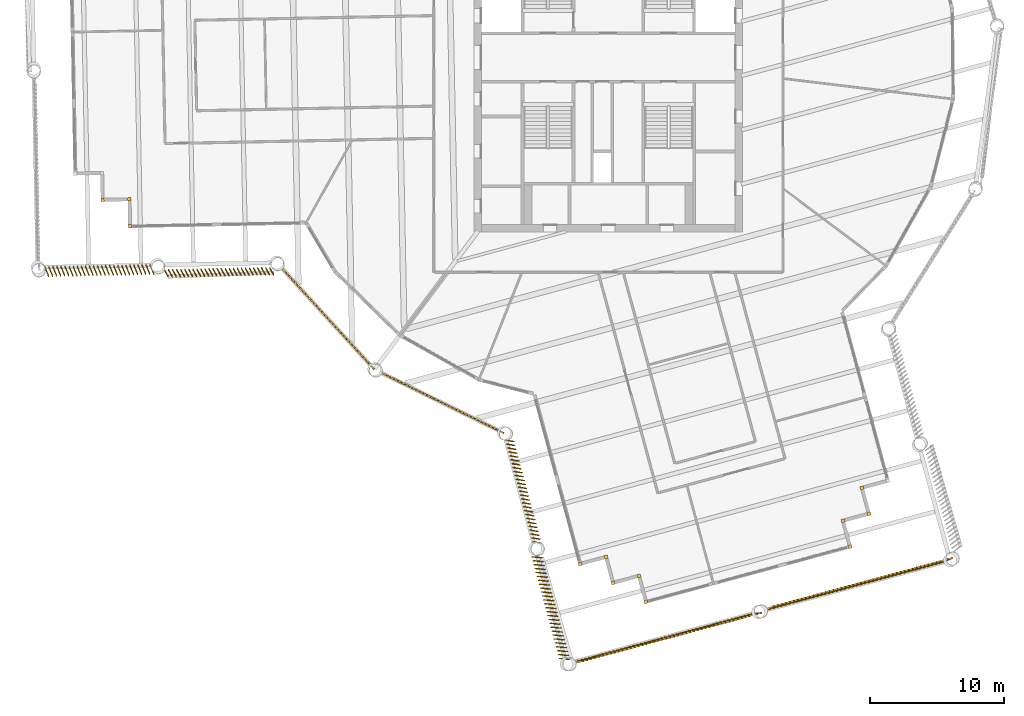
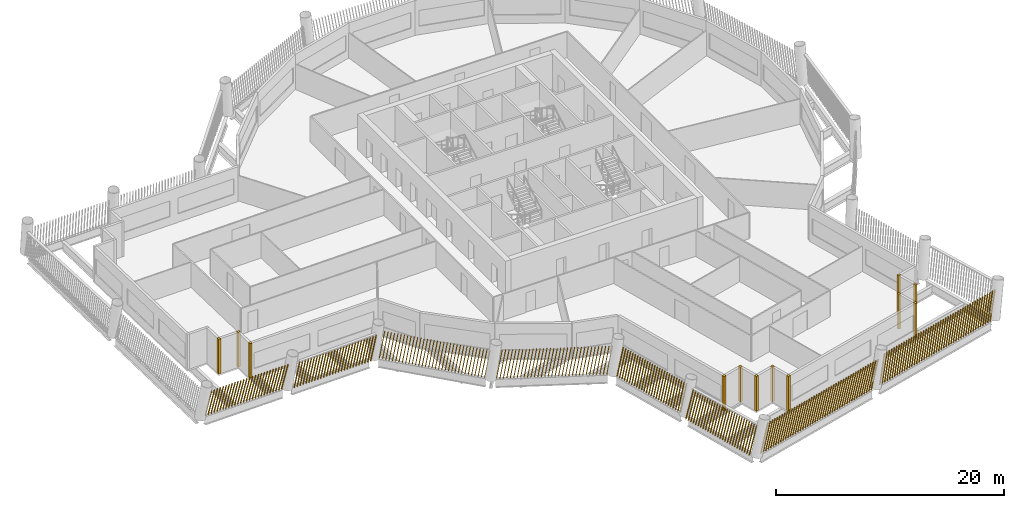
# One storey, part 11 of 15: 20 shading devices.
"""IFC4 building model written with IfcOpenShell, lengths in metres."""

from ifc_helpers import new_model, si_unit, direction, frame, frame_2d, origin, origin_2d, place, context, subcontext, project, spatial, rectangle, composite_profile, extrude, material, type_object, element, save


model = new_model("IFC4")

# Units and contexts
model_context = context("Model", 3, precision=1e-05, world=origin(), true_north=direction((0.0, 1.0)))
body_context = subcontext(model_context, "Body", "Model", "MODEL_VIEW")
ifc_project = project(units=[si_unit("LENGTHUNIT", "METRE"), si_unit("AREAUNIT", "SQUARE_METRE"), si_unit("VOLUMEUNIT", "CUBIC_METRE"), si_unit("PLANEANGLEUNIT", "RADIAN"), si_unit("MASSUNIT", "GRAM", prefix="KILO")], contexts=[model_context])

# Site, building, storey
site_placement = place(None, origin())
site = spatial("IfcSite", under=ifc_project, at=site_placement, CompositionType="ELEMENT")
building_placement = place(site_placement, origin())
building = spatial("IfcBuilding", under=site, at=building_placement, Name="Tarsis Ring Headquarters", CompositionType="ELEMENT")
storey_placement = place(building_placement, frame((0.0, 0.0, 290.300048828125)))
storey = spatial("IfcBuildingStorey", under=building, at=storey_placement, Name="L68", CompositionType="ELEMENT", Elevation=290.300048828125)

# Shading devices
ifc_material = material(Name="Terracotta baguette", Category="masonry")
shading_device_type_1 = type_object("IfcShadingDeviceType", Name="Terracotta baguette screen", PredefinedType="USERDEFINED", material=ifc_material)
shading_device_1_placement = place(storey_placement, frame((-16.984619140625, -23.45654296875, 0.0), z_axis=(0.0, 0.0, 1.0), x_axis=(0.897291760356, -0.441413081497, 0.0)))
element("IfcShadingDevice", 1, at=shading_device_1_placement, inside=storey, type_object=shading_device_type_1, Name="Baguette screen L68-00", ObjectType="Terracotta baguette screen", PredefinedType="USERDEFINED", context=body_context, shape_type="SweptSolid", body=[
    extrude(composite_profile([rectangle(XDim=0.06005859375, YDim=0.1201171875, at=frame_2d((0.030029296875, 0.0))), rectangle(XDim=0.06005859375, YDim=0.1201171875, at=frame_2d((0.33349609375, 0.0))), rectangle(XDim=0.06005859375, YDim=0.1201171875, at=frame_2d((0.636962890625, 0.0))), rectangle(XDim=0.06005859375, YDim=0.1201171875, at=frame_2d((0.9404296875, 0.0))), rectangle(XDim=0.06005859375, YDim=0.1201171875, at=frame_2d((1.243896484375, 0.0))), rectangle(XDim=0.06005859375, YDim=0.1201171875, at=frame_2d((1.54736328125, 0.0))), rectangle(XDim=0.06005859375, YDim=0.1201171875, at=frame_2d((1.85107421875, 0.0))), rectangle(XDim=0.06005859375, YDim=0.1201171875, at=frame_2d((2.154541015625, 0.0))), rectangle(XDim=0.06005859375, YDim=0.1201171875, at=frame_2d((2.4580078125, 0.0))), rectangle(XDim=0.06005859375, YDim=0.1201171875, at=frame_2d((2.761474609375, 0.0))), rectangle(XDim=0.06005859375, YDim=0.1201171875, at=frame_2d((3.06494140625, 0.0))), rectangle(XDim=0.06005859375, YDim=0.1201171875, at=frame_2d((3.368408203125, 0.0))), rectangle(XDim=0.06005859375, YDim=0.1201171875, at=frame_2d((3.671875, 0.0))), rectangle(XDim=0.06005859375, YDim=0.1201171875, at=frame_2d((3.975341796875, 0.0))), rectangle(XDim=0.06005859375, YDim=0.1201171875, at=frame_2d((4.27880859375, 0.0))), rectangle(XDim=0.06005859375, YDim=0.1201171875, at=frame_2d((4.582275390625, 0.0))), rectangle(XDim=0.06005859375, YDim=0.1201171875, at=frame_2d((4.8857421875, 0.0))), rectangle(XDim=0.06005859375, YDim=0.1201171875, at=frame_2d((5.189453125, 0.0))), rectangle(XDim=0.06005859375, YDim=0.1201171875, at=frame_2d((5.492919921875, 0.0))), rectangle(XDim=0.06005859375, YDim=0.1201171875, at=frame_2d((5.79638671875, 0.0))), rectangle(XDim=0.06005859375, YDim=0.1201171875, at=frame_2d((6.099853515625, 0.0))), rectangle(XDim=0.06005859375, YDim=0.1201171875, at=frame_2d((6.4033203125, 0.0))), rectangle(XDim=0.06005859375, YDim=0.1201171875, at=frame_2d((6.706787109375, 0.0))), rectangle(XDim=0.06005859375, YDim=0.1201171875, at=frame_2d((7.01025390625, 0.0))), rectangle(XDim=0.06005859375, YDim=0.1201171875, at=frame_2d((7.313720703125, 0.0))), rectangle(XDim=0.06005859375, YDim=0.1201171875, at=frame_2d((7.6171875, 0.0))), rectangle(XDim=0.06005859375, YDim=0.1201171875, at=frame_2d((7.920654296875, 0.0))), rectangle(XDim=0.06005859375, YDim=0.1201171875, at=frame_2d((8.224365234375, 0.0))), rectangle(XDim=0.06005859375, YDim=0.1201171875, at=frame_2d((8.52783203125, 0.0))), rectangle(XDim=0.06005859375, YDim=0.1201171875, at=frame_2d((8.831298828125, 0.0))), rectangle(XDim=0.06005859375, YDim=0.1201171875, at=frame_2d((9.134765625, 0.0))), rectangle(XDim=0.06005859375, YDim=0.1201171875, at=frame_2d((9.438232421875, 0.0))), rectangle(XDim=0.06005859375, YDim=0.1201171875, at=frame_2d((9.74169921875, 0.0)))]), origin(), (0.165544182813, 0.001442947575, 0.98620131892), 3.00927734375),
])
shading_device_2_placement = place(storey_placement, frame((-7.637451171875, -28.473388671875, 0.0), z_axis=(0.0, 0.0, 1.0), x_axis=(0.2608440435, -0.965367029165, 0.0)))
element("IfcShadingDevice", 2, at=shading_device_2_placement, inside=storey, type_object=shading_device_type_1, Name="Baguette screen L68-01", ObjectType="Terracotta baguette screen", PredefinedType="USERDEFINED", context=body_context, shape_type="SweptSolid", body=[
    extrude(composite_profile([rectangle(XDim=0.06005859375, YDim=0.1201171875, at=frame_2d((0.030029296875, 0.0))), rectangle(XDim=0.06005859375, YDim=0.1201171875, at=frame_2d((0.33154296875, 0.0))), rectangle(XDim=0.06005859375, YDim=0.1201171875, at=frame_2d((0.63330078125, 0.0))), rectangle(XDim=0.06005859375, YDim=0.1201171875, at=frame_2d((0.934814453125, 0.0))), rectangle(XDim=0.06005859375, YDim=0.1201171875, at=frame_2d((1.236572265625, 0.0))), rectangle(XDim=0.06005859375, YDim=0.1201171875, at=frame_2d((1.5380859375, 0.0))), rectangle(XDim=0.06005859375, YDim=0.1201171875, at=frame_2d((1.83984375, 0.0))), rectangle(XDim=0.06005859375, YDim=0.1201171875, at=frame_2d((2.141357421875, 0.0))), rectangle(XDim=0.06005859375, YDim=0.1201171875, at=frame_2d((2.443115234375, 0.0))), rectangle(XDim=0.06005859375, YDim=0.1201171875, at=frame_2d((2.74462890625, 0.0))), rectangle(XDim=0.06005859375, YDim=0.1201171875, at=frame_2d((3.04638671875, 0.0))), rectangle(XDim=0.06005859375, YDim=0.1201171875, at=frame_2d((3.347900390625, 0.0))), rectangle(XDim=0.06005859375, YDim=0.1201171875, at=frame_2d((3.649658203125, 0.0))), rectangle(XDim=0.06005859375, YDim=0.1201171875, at=frame_2d((3.951171875, 0.0))), rectangle(XDim=0.06005859375, YDim=0.1201171875, at=frame_2d((4.252685546875, 0.0))), rectangle(XDim=0.06005859375, YDim=0.1201171875, at=frame_2d((4.554443359375, 0.0))), rectangle(XDim=0.06005859375, YDim=0.1201171875, at=frame_2d((4.85595703125, 0.0))), rectangle(XDim=0.06005859375, YDim=0.1201171875, at=frame_2d((5.15771484375, 0.0))), rectangle(XDim=0.06005859375, YDim=0.1201171875, at=frame_2d((5.459228515625, 0.0))), rectangle(XDim=0.06005859375, YDim=0.1201171875, at=frame_2d((5.760986328125, 0.0))), rectangle(XDim=0.06005859375, YDim=0.1201171875, at=frame_2d((6.0625, 0.0))), rectangle(XDim=0.06005859375, YDim=0.1201171875, at=frame_2d((6.3642578125, 0.0))), rectangle(XDim=0.06005859375, YDim=0.1201171875, at=frame_2d((6.665771484375, 0.0))), rectangle(XDim=0.06005859375, YDim=0.1201171875, at=frame_2d((6.967529296875, 0.0))), rectangle(XDim=0.06005859375, YDim=0.1201171875, at=frame_2d((7.26904296875, 0.0))), rectangle(XDim=0.06005859375, YDim=0.1201171875, at=frame_2d((7.57080078125, 0.0))), rectangle(XDim=0.06005859375, YDim=0.1201171875, at=frame_2d((7.872314453125, 0.0)))]), origin(), (0.083960170848, 0.17074429462, 0.981731671877), 3.02294921875),
])
shading_device_3_placement = place(storey_placement, frame((-5.67724609375, -37.165283203125, 0.0), z_axis=(0.0, 0.0, 1.0), x_axis=(0.2608440435, -0.965367029165, 0.0)))
element("IfcShadingDevice", 3, at=shading_device_3_placement, inside=storey, type_object=shading_device_type_1, Name="Baguette screen L68-02", ObjectType="Terracotta baguette screen", PredefinedType="USERDEFINED", context=body_context, shape_type="SweptSolid", body=[
    extrude(composite_profile([rectangle(XDim=0.06005859375, YDim=0.1201171875, at=frame_2d((0.030029296875, 0.0))), rectangle(XDim=0.06005859375, YDim=0.1201171875, at=frame_2d((0.33154296875, 0.0))), rectangle(XDim=0.06005859375, YDim=0.1201171875, at=frame_2d((0.63330078125, 0.0))), rectangle(XDim=0.06005859375, YDim=0.1201171875, at=frame_2d((0.934814453125, 0.0))), rectangle(XDim=0.06005859375, YDim=0.1201171875, at=frame_2d((1.236572265625, 0.0))), rectangle(XDim=0.06005859375, YDim=0.1201171875, at=frame_2d((1.5380859375, 0.0))), rectangle(XDim=0.06005859375, YDim=0.1201171875, at=frame_2d((1.83984375, 0.0))), rectangle(XDim=0.06005859375, YDim=0.1201171875, at=frame_2d((2.141357421875, 0.0))), rectangle(XDim=0.06005859375, YDim=0.1201171875, at=frame_2d((2.443115234375, 0.0))), rectangle(XDim=0.06005859375, YDim=0.1201171875, at=frame_2d((2.74462890625, 0.0))), rectangle(XDim=0.06005859375, YDim=0.1201171875, at=frame_2d((3.04638671875, 0.0))), rectangle(XDim=0.06005859375, YDim=0.1201171875, at=frame_2d((3.347900390625, 0.0))), rectangle(XDim=0.06005859375, YDim=0.1201171875, at=frame_2d((3.649658203125, 0.0))), rectangle(XDim=0.06005859375, YDim=0.1201171875, at=frame_2d((3.951171875, 0.0))), rectangle(XDim=0.06005859375, YDim=0.1201171875, at=frame_2d((4.252685546875, 0.0))), rectangle(XDim=0.06005859375, YDim=0.1201171875, at=frame_2d((4.554443359375, 0.0))), rectangle(XDim=0.06005859375, YDim=0.1201171875, at=frame_2d((4.85595703125, 0.0))), rectangle(XDim=0.06005859375, YDim=0.1201171875, at=frame_2d((5.15771484375, 0.0))), rectangle(XDim=0.06005859375, YDim=0.1201171875, at=frame_2d((5.459228515625, 0.0))), rectangle(XDim=0.06005859375, YDim=0.1201171875, at=frame_2d((5.760986328125, 0.0))), rectangle(XDim=0.06005859375, YDim=0.1201171875, at=frame_2d((6.0625, 0.0))), rectangle(XDim=0.06005859375, YDim=0.1201171875, at=frame_2d((6.3642578125, 0.0))), rectangle(XDim=0.06005859375, YDim=0.1201171875, at=frame_2d((6.665771484375, 0.0))), rectangle(XDim=0.06005859375, YDim=0.1201171875, at=frame_2d((6.967529296875, 0.0))), rectangle(XDim=0.06005859375, YDim=0.1201171875, at=frame_2d((7.26904296875, 0.0))), rectangle(XDim=0.06005859375, YDim=0.1201171875, at=frame_2d((7.57080078125, 0.0))), rectangle(XDim=0.06005859375, YDim=0.1201171875, at=frame_2d((7.872314453125, 0.0)))]), origin(), (0.084812231695, 0.219915399416, 0.971825139855), 3.0537109375),
])
shading_device_4_placement = place(storey_placement, frame((-2.640869140625, -45.04833984375, 0.0), z_axis=(0.0, 0.0, 1.0), x_axis=(0.965378151261, 0.260840336134, 0.0)))
element("IfcShadingDevice", 4, at=shading_device_4_placement, inside=storey, type_object=shading_device_type_1, Name="Baguette screen L68-03", ObjectType="Terracotta baguette screen", PredefinedType="USERDEFINED", context=body_context, shape_type="SweptSolid", body=[
    extrude(composite_profile([rectangle(XDim=0.06005859375, YDim=0.1201171875, at=frame_2d((0.030029296875, 0.0))), rectangle(XDim=0.06005859375, YDim=0.1201171875, at=frame_2d((0.33544921875, 0.0))), rectangle(XDim=0.06005859375, YDim=0.1201171875, at=frame_2d((0.640625, 0.0))), rectangle(XDim=0.06005859375, YDim=0.1201171875, at=frame_2d((0.946044921875, 0.0))), rectangle(XDim=0.06005859375, YDim=0.1201171875, at=frame_2d((1.25146484375, 0.0))), rectangle(XDim=0.06005859375, YDim=0.1201171875, at=frame_2d((1.556640625, 0.0))), rectangle(XDim=0.06005859375, YDim=0.1201171875, at=frame_2d((1.862060546875, 0.0))), rectangle(XDim=0.06005859375, YDim=0.1201171875, at=frame_2d((2.16748046875, 0.0))), rectangle(XDim=0.06005859375, YDim=0.1201171875, at=frame_2d((2.47265625, 0.0))), rectangle(XDim=0.06005859375, YDim=0.1201171875, at=frame_2d((2.778076171875, 0.0))), rectangle(XDim=0.06005859375, YDim=0.1201171875, at=frame_2d((3.08349609375, 0.0))), rectangle(XDim=0.06005859375, YDim=0.1201171875, at=frame_2d((3.388671875, 0.0))), rectangle(XDim=0.06005859375, YDim=0.1201171875, at=frame_2d((3.694091796875, 0.0))), rectangle(XDim=0.06005859375, YDim=0.1201171875, at=frame_2d((3.99951171875, 0.0))), rectangle(XDim=0.06005859375, YDim=0.1201171875, at=frame_2d((4.3046875, 0.0))), rectangle(XDim=0.06005859375, YDim=0.1201171875, at=frame_2d((4.610107421875, 0.0))), rectangle(XDim=0.06005859375, YDim=0.1201171875, at=frame_2d((4.91552734375, 0.0))), rectangle(XDim=0.06005859375, YDim=0.1201171875, at=frame_2d((5.220703125, 0.0))), rectangle(XDim=0.06005859375, YDim=0.1201171875, at=frame_2d((5.526123046875, 0.0))), rectangle(XDim=0.06005859375, YDim=0.1201171875, at=frame_2d((5.83154296875, 0.0))), rectangle(XDim=0.06005859375, YDim=0.1201171875, at=frame_2d((6.13671875, 0.0))), rectangle(XDim=0.06005859375, YDim=0.1201171875, at=frame_2d((6.442138671875, 0.0))), rectangle(XDim=0.06005859375, YDim=0.1201171875, at=frame_2d((6.74755859375, 0.0))), rectangle(XDim=0.06005859375, YDim=0.1201171875, at=frame_2d((7.052734375, 0.0))), rectangle(XDim=0.06005859375, YDim=0.1201171875, at=frame_2d((7.358154296875, 0.0))), rectangle(XDim=0.06005859375, YDim=0.1201171875, at=frame_2d((7.66357421875, 0.0))), rectangle(XDim=0.06005859375, YDim=0.1201171875, at=frame_2d((7.96875, 0.0))), rectangle(XDim=0.06005859375, YDim=0.1201171875, at=frame_2d((8.274169921875, 0.0))), rectangle(XDim=0.06005859375, YDim=0.1201171875, at=frame_2d((8.57958984375, 0.0))), rectangle(XDim=0.06005859375, YDim=0.1201171875, at=frame_2d((8.884765625, 0.0))), rectangle(XDim=0.06005859375, YDim=0.1201171875, at=frame_2d((9.190185546875, 0.0))), rectangle(XDim=0.06005859375, YDim=0.1201171875, at=frame_2d((9.49560546875, 0.0))), rectangle(XDim=0.06005859375, YDim=0.1201171875, at=frame_2d((9.80078125, 0.0))), rectangle(XDim=0.06005859375, YDim=0.1201171875, at=frame_2d((10.106201171875, 0.0))), rectangle(XDim=0.06005859375, YDim=0.1201171875, at=frame_2d((10.41162109375, 0.0))), rectangle(XDim=0.06005859375, YDim=0.1201171875, at=frame_2d((10.716796875, 0.0))), rectangle(XDim=0.06005859375, YDim=0.1201171875, at=frame_2d((11.022216796875, 0.0))), rectangle(XDim=0.06005859375, YDim=0.1201171875, at=frame_2d((11.32763671875, 0.0))), rectangle(XDim=0.06005859375, YDim=0.1201171875, at=frame_2d((11.6328125, 0.0))), rectangle(XDim=0.06005859375, YDim=0.1201171875, at=frame_2d((11.938232421875, 0.0))), rectangle(XDim=0.06005859375, YDim=0.1201171875, at=frame_2d((12.24365234375, 0.0))), rectangle(XDim=0.06005859375, YDim=0.1201171875, at=frame_2d((12.548828125, 0.0))), rectangle(XDim=0.06005859375, YDim=0.1201171875, at=frame_2d((12.854248046875, 0.0))), rectangle(XDim=0.06005859375, YDim=0.1201171875, at=frame_2d((13.15966796875, 0.0))), rectangle(XDim=0.06005859375, YDim=0.1201171875, at=frame_2d((13.46484375, 0.0))), rectangle(XDim=0.06005859375, YDim=0.1201171875, at=frame_2d((13.770263671875, 0.0)))]), origin(), (0.244228508437, -0.0400346058, 0.968890946394), 3.06298828125),
])
shading_device_5_placement = place(storey_placement, frame((11.646728515625, -41.18798828125, 0.0), z_axis=(0.0, 0.0, 1.0), x_axis=(0.965378151261, 0.260840336134, 0.0)))
element("IfcShadingDevice", 5, at=shading_device_5_placement, inside=storey, type_object=shading_device_type_1, Name="Baguette screen L68-04", ObjectType="Terracotta baguette screen", PredefinedType="USERDEFINED", context=body_context, shape_type="SweptSolid", body=[
    extrude(composite_profile([rectangle(XDim=0.06005859375, YDim=0.1201171875, at=frame_2d((0.030029296875, 0.0))), rectangle(XDim=0.06005859375, YDim=0.1201171875, at=frame_2d((0.33544921875, 0.0))), rectangle(XDim=0.06005859375, YDim=0.1201171875, at=frame_2d((0.640625, 0.0))), rectangle(XDim=0.06005859375, YDim=0.1201171875, at=frame_2d((0.946044921875, 0.0))), rectangle(XDim=0.06005859375, YDim=0.1201171875, at=frame_2d((1.25146484375, 0.0))), rectangle(XDim=0.06005859375, YDim=0.1201171875, at=frame_2d((1.556640625, 0.0))), rectangle(XDim=0.06005859375, YDim=0.1201171875, at=frame_2d((1.862060546875, 0.0))), rectangle(XDim=0.06005859375, YDim=0.1201171875, at=frame_2d((2.16748046875, 0.0))), rectangle(XDim=0.06005859375, YDim=0.1201171875, at=frame_2d((2.47265625, 0.0))), rectangle(XDim=0.06005859375, YDim=0.1201171875, at=frame_2d((2.778076171875, 0.0))), rectangle(XDim=0.06005859375, YDim=0.1201171875, at=frame_2d((3.08349609375, 0.0))), rectangle(XDim=0.06005859375, YDim=0.1201171875, at=frame_2d((3.388671875, 0.0))), rectangle(XDim=0.06005859375, YDim=0.1201171875, at=frame_2d((3.694091796875, 0.0))), rectangle(XDim=0.06005859375, YDim=0.1201171875, at=frame_2d((3.99951171875, 0.0))), rectangle(XDim=0.06005859375, YDim=0.1201171875, at=frame_2d((4.3046875, 0.0))), rectangle(XDim=0.06005859375, YDim=0.1201171875, at=frame_2d((4.610107421875, 0.0))), rectangle(XDim=0.06005859375, YDim=0.1201171875, at=frame_2d((4.91552734375, 0.0))), rectangle(XDim=0.06005859375, YDim=0.1201171875, at=frame_2d((5.220703125, 0.0))), rectangle(XDim=0.06005859375, YDim=0.1201171875, at=frame_2d((5.526123046875, 0.0))), rectangle(XDim=0.06005859375, YDim=0.1201171875, at=frame_2d((5.83154296875, 0.0))), rectangle(XDim=0.06005859375, YDim=0.1201171875, at=frame_2d((6.13671875, 0.0))), rectangle(XDim=0.06005859375, YDim=0.1201171875, at=frame_2d((6.442138671875, 0.0))), rectangle(XDim=0.06005859375, YDim=0.1201171875, at=frame_2d((6.74755859375, 0.0))), rectangle(XDim=0.06005859375, YDim=0.1201171875, at=frame_2d((7.052734375, 0.0))), rectangle(XDim=0.06005859375, YDim=0.1201171875, at=frame_2d((7.358154296875, 0.0))), rectangle(XDim=0.06005859375, YDim=0.1201171875, at=frame_2d((7.66357421875, 0.0))), rectangle(XDim=0.06005859375, YDim=0.1201171875, at=frame_2d((7.96875, 0.0))), rectangle(XDim=0.06005859375, YDim=0.1201171875, at=frame_2d((8.274169921875, 0.0))), rectangle(XDim=0.06005859375, YDim=0.1201171875, at=frame_2d((8.57958984375, 0.0))), rectangle(XDim=0.06005859375, YDim=0.1201171875, at=frame_2d((8.884765625, 0.0))), rectangle(XDim=0.06005859375, YDim=0.1201171875, at=frame_2d((9.190185546875, 0.0))), rectangle(XDim=0.06005859375, YDim=0.1201171875, at=frame_2d((9.49560546875, 0.0))), rectangle(XDim=0.06005859375, YDim=0.1201171875, at=frame_2d((9.80078125, 0.0))), rectangle(XDim=0.06005859375, YDim=0.1201171875, at=frame_2d((10.106201171875, 0.0))), rectangle(XDim=0.06005859375, YDim=0.1201171875, at=frame_2d((10.41162109375, 0.0))), rectangle(XDim=0.06005859375, YDim=0.1201171875, at=frame_2d((10.716796875, 0.0))), rectangle(XDim=0.06005859375, YDim=0.1201171875, at=frame_2d((11.022216796875, 0.0))), rectangle(XDim=0.06005859375, YDim=0.1201171875, at=frame_2d((11.32763671875, 0.0))), rectangle(XDim=0.06005859375, YDim=0.1201171875, at=frame_2d((11.6328125, 0.0))), rectangle(XDim=0.06005859375, YDim=0.1201171875, at=frame_2d((11.938232421875, 0.0))), rectangle(XDim=0.06005859375, YDim=0.1201171875, at=frame_2d((12.24365234375, 0.0))), rectangle(XDim=0.06005859375, YDim=0.1201171875, at=frame_2d((12.548828125, 0.0))), rectangle(XDim=0.06005859375, YDim=0.1201171875, at=frame_2d((12.854248046875, 0.0))), rectangle(XDim=0.06005859375, YDim=0.1201171875, at=frame_2d((13.15966796875, 0.0))), rectangle(XDim=0.06005859375, YDim=0.1201171875, at=frame_2d((13.46484375, 0.0))), rectangle(XDim=0.06005859375, YDim=0.1201171875, at=frame_2d((13.770263671875, 0.0)))]), origin(), (0.243492688097, 0.044291035756, 0.96889092007), 3.06298828125),
])
shading_device_6_placement = place(storey_placement, frame((-42.002685546875, -15.6240234375, 0.0), z_axis=(0.0, 0.0, 1.0), x_axis=(0.999814631735, 0.019556351953, 0.0)))
element("IfcShadingDevice", 6, at=shading_device_6_placement, inside=storey, type_object=shading_device_type_1, Name="Baguette screen L68-19", ObjectType="Terracotta baguette screen", PredefinedType="USERDEFINED", context=body_context, shape_type="SweptSolid", body=[
    extrude(composite_profile([rectangle(XDim=0.06005859375, YDim=0.1201171875, at=frame_2d((0.030029296875, 0.0))), rectangle(XDim=0.06005859375, YDim=0.1201171875, at=frame_2d((0.33154296875, 0.0))), rectangle(XDim=0.06005859375, YDim=0.1201171875, at=frame_2d((0.63330078125, 0.0))), rectangle(XDim=0.06005859375, YDim=0.1201171875, at=frame_2d((0.934814453125, 0.0))), rectangle(XDim=0.06005859375, YDim=0.1201171875, at=frame_2d((1.236572265625, 0.0))), rectangle(XDim=0.06005859375, YDim=0.1201171875, at=frame_2d((1.5380859375, 0.0))), rectangle(XDim=0.06005859375, YDim=0.1201171875, at=frame_2d((1.83984375, 0.0))), rectangle(XDim=0.06005859375, YDim=0.1201171875, at=frame_2d((2.141357421875, 0.0))), rectangle(XDim=0.06005859375, YDim=0.1201171875, at=frame_2d((2.443115234375, 0.0))), rectangle(XDim=0.06005859375, YDim=0.1201171875, at=frame_2d((2.74462890625, 0.0))), rectangle(XDim=0.06005859375, YDim=0.1201171875, at=frame_2d((3.04638671875, 0.0))), rectangle(XDim=0.06005859375, YDim=0.1201171875, at=frame_2d((3.347900390625, 0.0))), rectangle(XDim=0.06005859375, YDim=0.1201171875, at=frame_2d((3.649658203125, 0.0))), rectangle(XDim=0.06005859375, YDim=0.1201171875, at=frame_2d((3.951171875, 0.0))), rectangle(XDim=0.06005859375, YDim=0.1201171875, at=frame_2d((4.252685546875, 0.0))), rectangle(XDim=0.06005859375, YDim=0.1201171875, at=frame_2d((4.554443359375, 0.0))), rectangle(XDim=0.06005859375, YDim=0.1201171875, at=frame_2d((4.85595703125, 0.0))), rectangle(XDim=0.06005859375, YDim=0.1201171875, at=frame_2d((5.15771484375, 0.0))), rectangle(XDim=0.06005859375, YDim=0.1201171875, at=frame_2d((5.459228515625, 0.0))), rectangle(XDim=0.06005859375, YDim=0.1201171875, at=frame_2d((5.760986328125, 0.0))), rectangle(XDim=0.06005859375, YDim=0.1201171875, at=frame_2d((6.0625, 0.0))), rectangle(XDim=0.06005859375, YDim=0.1201171875, at=frame_2d((6.3642578125, 0.0))), rectangle(XDim=0.06005859375, YDim=0.1201171875, at=frame_2d((6.665771484375, 0.0))), rectangle(XDim=0.06005859375, YDim=0.1201171875, at=frame_2d((6.967529296875, 0.0))), rectangle(XDim=0.06005859375, YDim=0.1201171875, at=frame_2d((7.26904296875, 0.0))), rectangle(XDim=0.06005859375, YDim=0.1201171875, at=frame_2d((7.57080078125, 0.0))), rectangle(XDim=0.06005859375, YDim=0.1201171875, at=frame_2d((7.872314453125, 0.0)))]), origin(), (0.086508112414, -0.218466018309, 0.972002543891), 3.05322265625),
])
shading_device_7_placement = place(storey_placement, frame((-33.0947265625, -15.824951171875, 0.0), z_axis=(0.0, 0.0, 1.0), x_axis=(0.999814626008, 0.019556956159, 0.0)))
element("IfcShadingDevice", 7, at=shading_device_7_placement, inside=storey, type_object=shading_device_type_1, Name="Baguette screen L68-20", ObjectType="Terracotta baguette screen", PredefinedType="USERDEFINED", context=body_context, shape_type="SweptSolid", body=[
    extrude(composite_profile([rectangle(XDim=0.06005859375, YDim=0.1201171875, at=frame_2d((0.030029296875, 0.0))), rectangle(XDim=0.06005859375, YDim=0.1201171875, at=frame_2d((0.33154296875, 0.0))), rectangle(XDim=0.06005859375, YDim=0.1201171875, at=frame_2d((0.63330078125, 0.0))), rectangle(XDim=0.06005859375, YDim=0.1201171875, at=frame_2d((0.934814453125, 0.0))), rectangle(XDim=0.06005859375, YDim=0.1201171875, at=frame_2d((1.236572265625, 0.0))), rectangle(XDim=0.06005859375, YDim=0.1201171875, at=frame_2d((1.5380859375, 0.0))), rectangle(XDim=0.06005859375, YDim=0.1201171875, at=frame_2d((1.83984375, 0.0))), rectangle(XDim=0.06005859375, YDim=0.1201171875, at=frame_2d((2.141357421875, 0.0))), rectangle(XDim=0.06005859375, YDim=0.1201171875, at=frame_2d((2.443115234375, 0.0))), rectangle(XDim=0.06005859375, YDim=0.1201171875, at=frame_2d((2.74462890625, 0.0))), rectangle(XDim=0.06005859375, YDim=0.1201171875, at=frame_2d((3.04638671875, 0.0))), rectangle(XDim=0.06005859375, YDim=0.1201171875, at=frame_2d((3.347900390625, 0.0))), rectangle(XDim=0.06005859375, YDim=0.1201171875, at=frame_2d((3.649658203125, 0.0))), rectangle(XDim=0.06005859375, YDim=0.1201171875, at=frame_2d((3.951171875, 0.0))), rectangle(XDim=0.06005859375, YDim=0.1201171875, at=frame_2d((4.252685546875, 0.0))), rectangle(XDim=0.06005859375, YDim=0.1201171875, at=frame_2d((4.554443359375, 0.0))), rectangle(XDim=0.06005859375, YDim=0.1201171875, at=frame_2d((4.85595703125, 0.0))), rectangle(XDim=0.06005859375, YDim=0.1201171875, at=frame_2d((5.15771484375, 0.0))), rectangle(XDim=0.06005859375, YDim=0.1201171875, at=frame_2d((5.459228515625, 0.0))), rectangle(XDim=0.06005859375, YDim=0.1201171875, at=frame_2d((5.760986328125, 0.0))), rectangle(XDim=0.06005859375, YDim=0.1201171875, at=frame_2d((6.0625, 0.0))), rectangle(XDim=0.06005859375, YDim=0.1201171875, at=frame_2d((6.3642578125, 0.0))), rectangle(XDim=0.06005859375, YDim=0.1201171875, at=frame_2d((6.665771484375, 0.0))), rectangle(XDim=0.06005859375, YDim=0.1201171875, at=frame_2d((6.967529296875, 0.0))), rectangle(XDim=0.06005859375, YDim=0.1201171875, at=frame_2d((7.26904296875, 0.0))), rectangle(XDim=0.06005859375, YDim=0.1201171875, at=frame_2d((7.57080078125, 0.0))), rectangle(XDim=0.06005859375, YDim=0.1201171875, at=frame_2d((7.872314453125, 0.0)))]), origin(), (0.089073835907, -0.169207069705, 0.981547155932), 3.023681640625),
])
shading_device_8_placement = place(storey_placement, frame((-24.364013671875, -15.65478515625, 0.0), z_axis=(0.0, 0.0, 1.0), x_axis=(0.6747532792, -0.738038725796, 0.0)))
element("IfcShadingDevice", 8, at=shading_device_8_placement, inside=storey, type_object=shading_device_type_1, Name="Baguette screen L68-21", ObjectType="Terracotta baguette screen", PredefinedType="USERDEFINED", context=body_context, shape_type="SweptSolid", body=[
    extrude(composite_profile([rectangle(XDim=0.06005859375, YDim=0.1201171875, at=frame_2d((0.030029296875, 0.0))), rectangle(XDim=0.06005859375, YDim=0.1201171875, at=frame_2d((0.33349609375, 0.0))), rectangle(XDim=0.06005859375, YDim=0.1201171875, at=frame_2d((0.636962890625, 0.0))), rectangle(XDim=0.06005859375, YDim=0.1201171875, at=frame_2d((0.9404296875, 0.0))), rectangle(XDim=0.06005859375, YDim=0.1201171875, at=frame_2d((1.243896484375, 0.0))), rectangle(XDim=0.06005859375, YDim=0.1201171875, at=frame_2d((1.54736328125, 0.0))), rectangle(XDim=0.06005859375, YDim=0.1201171875, at=frame_2d((1.85107421875, 0.0))), rectangle(XDim=0.06005859375, YDim=0.1201171875, at=frame_2d((2.154541015625, 0.0))), rectangle(XDim=0.06005859375, YDim=0.1201171875, at=frame_2d((2.4580078125, 0.0))), rectangle(XDim=0.06005859375, YDim=0.1201171875, at=frame_2d((2.761474609375, 0.0))), rectangle(XDim=0.06005859375, YDim=0.1201171875, at=frame_2d((3.06494140625, 0.0))), rectangle(XDim=0.06005859375, YDim=0.1201171875, at=frame_2d((3.368408203125, 0.0))), rectangle(XDim=0.06005859375, YDim=0.1201171875, at=frame_2d((3.671875, 0.0))), rectangle(XDim=0.06005859375, YDim=0.1201171875, at=frame_2d((3.975341796875, 0.0))), rectangle(XDim=0.06005859375, YDim=0.1201171875, at=frame_2d((4.27880859375, 0.0))), rectangle(XDim=0.06005859375, YDim=0.1201171875, at=frame_2d((4.582275390625, 0.0))), rectangle(XDim=0.06005859375, YDim=0.1201171875, at=frame_2d((4.8857421875, 0.0))), rectangle(XDim=0.06005859375, YDim=0.1201171875, at=frame_2d((5.189453125, 0.0))), rectangle(XDim=0.06005859375, YDim=0.1201171875, at=frame_2d((5.492919921875, 0.0))), rectangle(XDim=0.06005859375, YDim=0.1201171875, at=frame_2d((5.79638671875, 0.0))), rectangle(XDim=0.06005859375, YDim=0.1201171875, at=frame_2d((6.099853515625, 0.0))), rectangle(XDim=0.06005859375, YDim=0.1201171875, at=frame_2d((6.4033203125, 0.0))), rectangle(XDim=0.06005859375, YDim=0.1201171875, at=frame_2d((6.706787109375, 0.0))), rectangle(XDim=0.06005859375, YDim=0.1201171875, at=frame_2d((7.01025390625, 0.0))), rectangle(XDim=0.06005859375, YDim=0.1201171875, at=frame_2d((7.313720703125, 0.0))), rectangle(XDim=0.06005859375, YDim=0.1201171875, at=frame_2d((7.6171875, 0.0))), rectangle(XDim=0.06005859375, YDim=0.1201171875, at=frame_2d((7.920654296875, 0.0))), rectangle(XDim=0.06005859375, YDim=0.1201171875, at=frame_2d((8.224365234375, 0.0))), rectangle(XDim=0.06005859375, YDim=0.1201171875, at=frame_2d((8.52783203125, 0.0))), rectangle(XDim=0.06005859375, YDim=0.1201171875, at=frame_2d((8.831298828125, 0.0))), rectangle(XDim=0.06005859375, YDim=0.1201171875, at=frame_2d((9.134765625, 0.0))), rectangle(XDim=0.06005859375, YDim=0.1201171875, at=frame_2d((9.438232421875, 0.0))), rectangle(XDim=0.06005859375, YDim=0.1201171875, at=frame_2d((9.74169921875, 0.0)))]), origin(), (0.165545112822, 0.001444280644, 0.986201160856), 3.00927734375),
])
shading_device_type_2 = type_object("IfcShadingDeviceType", Name="Terracotta corner baguette 250x250", PredefinedType="USERDEFINED", material=ifc_material)
for number, where, z_axis, x_axis, name in (
    (9, (-35.635986328125, -12.573974609375, 0.0), (0.0, 0.0, 1.0), (0.019547001143, -0.999808939121, 0.0), "Corner baguette L68-01"),
    (10, (-2.106201171875, -37.73046875, 0.0), (0.0, 0.0, 1.0), (0.260841489441, -0.965381643386, 0.0), "Corner baguette L68-07"),
    (11, (-0.175537109375, -37.208984375, 0.0), (0.0, 0.0, 1.0), (0.965381629728, 0.260841539988, 0.0), "Corner baguette L68-08"),
    (12, (0.34619140625, -39.1396484375, 0.0), (0.0, 0.0, 1.0), (0.26084187697, -0.965381538677, 0.0), "Corner baguette L68-09"),
    (13, (2.277099609375, -38.617919921875, 0.0), (0.0, 0.0, 1.0), (0.965381506809, 0.260841994913, 0.0), "Corner baguette L68-10"),
    (14, (2.798583984375, -40.548828125, 0.0), (0.0, 0.0, 1.0), (0.260841539988, -0.965381629728, 0.0), "Corner baguette L68-11"),
    (15, (18.00341796875, -36.4404296875, 0.0), (0.0, 0.0, 1.0), (0.965381657043, 0.260841438894, 0.0), "Corner baguette L68-12"),
    (16, (17.481689453125, -34.509765625, 0.0), (0.0, 0.0, 1.0), (-0.260841405195, 0.965381666149, 0.0), "Corner baguette L68-13"),
    (17, (19.41259765625, -33.988037109375, 0.0), (0.0, 0.0, 1.0), (0.965381629728, 0.260841539988, 0.0), "Corner baguette L68-14"),
    (18, (18.890869140625, -32.057373046875, 0.0), (0.0, 0.0, 1.0), (-0.260841539988, 0.965381629728, 0.0), "Corner baguette L68-15"),
    (19, (-37.6748046875, -10.613525390625, 0.0), (0.0, 0.0, 1.0), (0.019546495095, -0.999808949015, 0.0), "Corner baguette L68-39"),
    (20, (-35.675048828125, -10.574462890625, 0.0), (0.0, 0.0, 1.0), (0.999808949015, 0.019546495095, 0.0), "Corner baguette L68-40"),
):
    element("IfcShadingDevice", number, at=place(storey_placement, frame(where, z_axis=z_axis, x_axis=x_axis)), inside=storey, type_object=shading_device_type_2, Name=name, ObjectType="Terracotta corner baguette", PredefinedType="USERDEFINED", context=body_context, shape_type="SweptSolid", body=[
        extrude(rectangle(XDim=0.25, YDim=0.25, at=origin_2d()), origin(), (0.0, 0.0, 1.0), 3.739990234375),
    ])

save(model, "model.ifc")
